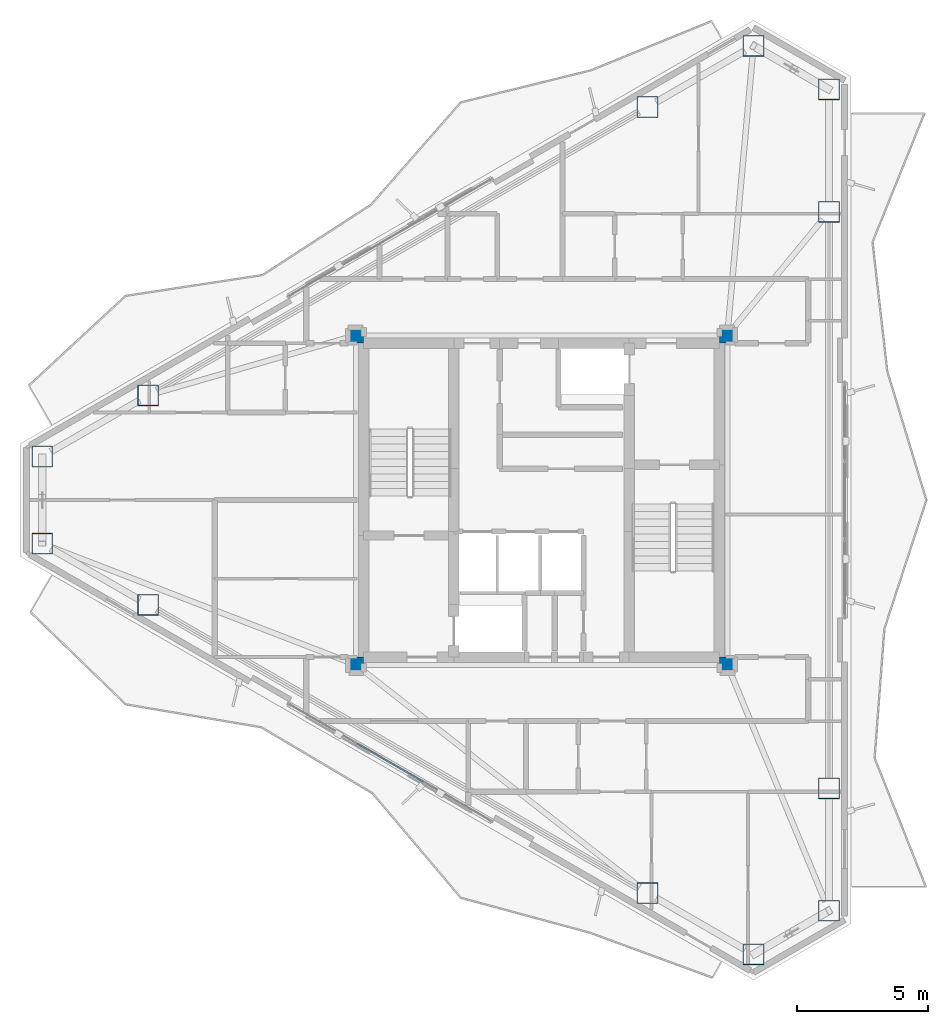
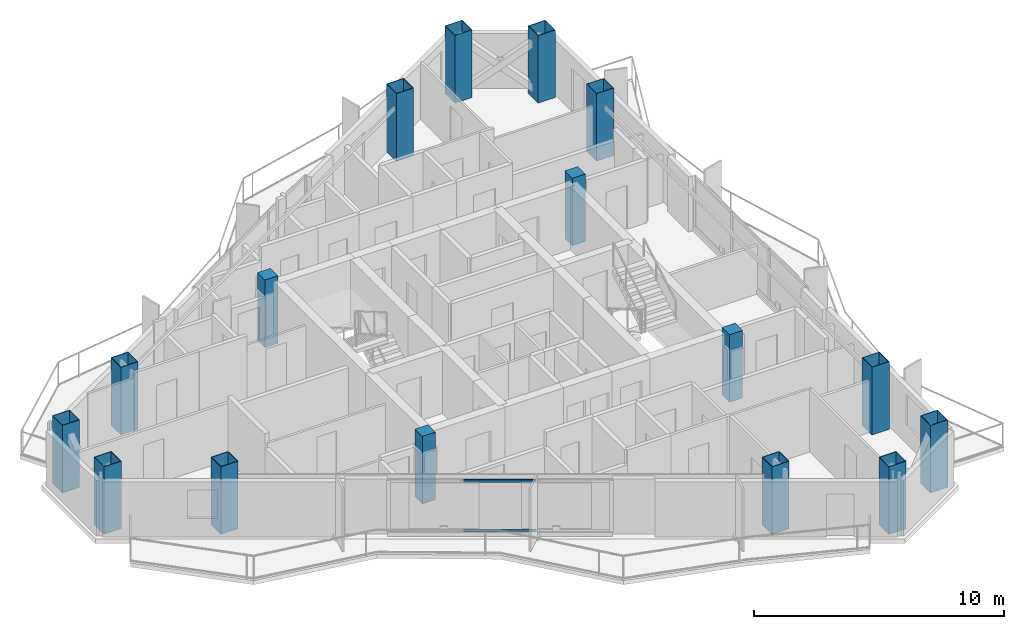
# One storey, part 1 of 22: 16 columns, 2 members, 1 element without a shape of its own.
"""IFC4 building model written with IfcOpenShell, lengths in metres."""

from ifc_helpers import new_model, si_unit, direction, frame, origin, origin_2d, place, context, subcontext, project, spatial, rectangle, hollow_rectangle, extrude, material, layer, layer_set, material_profile, profile_set, type_object, element, aggregate, save


model = new_model("IFC4")

# Units and contexts
model_context = context("Model", 3, precision=1e-05, world=origin(), true_north=direction((0.0, 1.0)))
body_context = subcontext(model_context, "Body", "Model", "MODEL_VIEW")
ifc_project = project(units=[si_unit("LENGTHUNIT", "METRE"), si_unit("AREAUNIT", "SQUARE_METRE"), si_unit("VOLUMEUNIT", "CUBIC_METRE"), si_unit("PLANEANGLEUNIT", "RADIAN"), si_unit("MASSUNIT", "GRAM", prefix="KILO")], contexts=[model_context])

# Site, building, storey
site_placement = place(None, origin())
site = spatial("IfcSite", under=ifc_project, at=site_placement, CompositionType="ELEMENT")
building_placement = place(site_placement, origin())
building = spatial("IfcBuilding", under=site, at=building_placement, Name="Mersakhor Tower and Convention Hall", CompositionType="ELEMENT")
storey_placement = place(building_placement, frame((0.0, 0.0, 201.89990234375)))
storey = spatial("IfcBuildingStorey", under=building, at=storey_placement, Name="L56", CompositionType="ELEMENT", Elevation=201.89990234375)

# Columns
ifc_material_1 = material(Name="Concrete C50/60 in S460M steel box", Category="concrete")
ifc_material_profile_1 = material_profile(ifc_material_1, hollow_rectangle(XDim=0.800048828125, YDim=0.800048828125, WallThickness=0.02490234375, at=origin_2d()), Name="SHS 800x800x25")
ifc_profile_set_1 = profile_set([ifc_material_profile_1], Name="Concrete C50/60 in S460M steel box")
column_type_1 = type_object("IfcColumnType", Name="COL-CFT-800", PredefinedType="COLUMN", material=ifc_profile_set_1)
for number, where, z_axis, x_axis, name in (
    (1, (9.907470703125, 28.415283203125, 0.0), (0.0, 0.0, 1.0), (1.0, 0.0, 0.0), "L56 Perimeter Mega-Column MC-01"),
    (2, (13.959716796875, 30.7548828125, 0.0), (0.0, 0.0, 1.0), (1.0, 0.0, 0.0), "L56 Perimeter Mega-Column MC-02"),
    (3, (33.0517578125, 41.777587890625, 0.0), (0.0, 0.0, 1.0), (1.0, 0.0, 0.0), "L56 Perimeter Mega-Column MC-03"),
    (4, (37.10400390625, 44.1171875, 0.0), (0.0, 0.0, 1.0), (1.0, 0.0, 0.0), "L56 Perimeter Mega-Column MC-04"),
    (5, (39.98828125, 42.451904296875, 0.0), (0.0, 0.0, 1.0), (1.0, 0.0, 0.0), "L56 Perimeter Mega-Column MC-05"),
    (6, (39.98828125, 37.772705078125, 0.0), (0.0, 0.0, 1.0), (1.0, 0.0, 0.0), "L56 Perimeter Mega-Column MC-06"),
    (7, (39.98828125, 15.727294921875, 0.0), (0.0, 0.0, 1.0), (1.0, 0.0, 0.0), "L56 Perimeter Mega-Column MC-07"),
    (8, (39.98828125, 11.048095703125, 0.0), (0.0, 0.0, 1.0), (1.0, 0.0, 0.0), "L56 Perimeter Mega-Column MC-08"),
    (9, (37.10400390625, 9.3828125, 0.0), (0.0, 0.0, 1.0), (1.0, 0.0, 0.0), "L56 Perimeter Mega-Column MC-09"),
    (10, (33.0517578125, 11.722412109375, 0.0), (0.0, 0.0, 1.0), (1.0, 0.0, 0.0), "L56 Perimeter Mega-Column MC-10"),
    (11, (13.959716796875, 22.7451171875, 0.0), (0.0, 0.0, 1.0), (1.0, 0.0, 0.0), "L56 Perimeter Mega-Column MC-11"),
    (12, (9.907470703125, 25.084716796875, 0.0), (0.0, 0.0, 1.0), (1.0, 0.0, 0.0), "L56 Perimeter Mega-Column MC-12"),
):
    element("IfcColumn", number, at=place(storey_placement, frame(where, z_axis=z_axis, x_axis=x_axis)), inside=storey, type_object=column_type_1, Name=name, PredefinedType="COLUMN", context=body_context, shape_type="SweptSolid", body=[
        extrude(hollow_rectangle(XDim=0.800048828125, YDim=0.800048828125, WallThickness=0.02490234375, at=origin_2d()), origin(), (0.0, 0.0, 1.0), 3.300048828125),
    ])
ifc_material_2 = material(Name="Concrete C50/60", Category="concrete")
ifc_material_profile_2 = material_profile(ifc_material_2, rectangle(XDim=0.60009765625, YDim=0.60009765625, at=origin_2d()), Name="RC 600x600")
ifc_profile_set_2 = profile_set([ifc_material_profile_2], Name="Concrete C50/60")
column_type_2 = type_object("IfcColumnType", Name="COL-RC-600", PredefinedType="COLUMN", material=ifc_profile_set_2)
for number, where, z_axis, x_axis, name in (
    (13, (21.89990234375, 20.449951171875, 0.0), (0.0, 0.0, 1.0), (1.0, 0.0, 0.0), "L56 Core Corner Column CC-1"),
    (14, (21.89990234375, 33.050048828125, 0.0), (0.0, 0.0, 1.0), (1.0, 0.0, 0.0), "L56 Core Corner Column CC-2"),
    (15, (36.10009765625, 33.050048828125, 0.0), (0.0, 0.0, 1.0), (1.0, 0.0, 0.0), "L56 Core Corner Column CC-3"),
    (16, (36.10009765625, 20.449951171875, 0.0), (0.0, 0.0, 1.0), (1.0, 0.0, 0.0), "L56 Core Corner Column CC-4"),
):
    element("IfcColumn", number, at=place(storey_placement, frame(where, z_axis=z_axis, x_axis=x_axis)), inside=storey, type_object=column_type_2, Name=name, PredefinedType="COLUMN", context=body_context, shape_type="SweptSolid", body=[
        extrude(rectangle(XDim=0.60009765625, YDim=0.60009765625, at=origin_2d()), origin(), (0.0, 0.0, 1.0), 3.300048828125),
    ])

# Curtain wall, members
ifc_material_3 = material(Name="Dark solar low-E aluminium curtain wall", Category="aluminium")
ifc_layer = layer(ifc_material_3, 0.169921875)
ifc_layer_set = layer_set([ifc_layer], Name="Dark solar low-E aluminium curtain wall")
curtain_wall_type = type_object("IfcCurtainWallType", Name="CW-SYS-02", PredefinedType="USERDEFINED", material=ifc_layer_set)
curtain_wall_placement = place(storey_placement, origin())
curtain_wall = element("IfcCurtainWall", 17, at=curtain_wall_placement, inside=storey, type_object=curtain_wall_type, Name="L56 Dark-Glass Curtain Wall F3-B2", ObjectType="CURTAIN WALL", PredefinedType="USERDEFINED")
ifc_material_4 = material(Name="Anodised aluminium EN AW-6063 T6", Category="aluminium")
ifc_material_profile_3 = material_profile(ifc_material_4, hollow_rectangle(XDim=0.06005859375, YDim=0.1201171875, WallThickness=0.0048828125, at=origin_2d()), Name="RHS 120x60x5")
ifc_profile_set_3 = profile_set([ifc_material_profile_3], Name="Anodised aluminium EN AW-6063 T6")
member_type = type_object("IfcMemberType", Name="CWT-120x60", PredefinedType="USERDEFINED", material=ifc_profile_set_3)
member_1_placement = place(storey_placement, frame((24.47216796875, 15.98291015625, 0.22998046875), z_axis=(-0.866004860328, 0.500035580622, 0.0), x_axis=(-0.500035580622, -0.866004860328, 0.0)))
member_1 = element("IfcMember", 18, at=member_1_placement, type_object=member_type, Name="CW-02 transom 2.1", ObjectType="TRANSOM", PredefinedType="USERDEFINED", context=body_context, shape_type="SweptSolid", body=[
    extrude(hollow_rectangle(XDim=0.06005859375, YDim=0.1201171875, WallThickness=0.0048828125, at=origin_2d()), origin(), (0.0, 0.0, 1.0), 2.924560546875),
])
member_2_placement = place(storey_placement, frame((24.47216796875, 15.98291015625, 2.66015625), z_axis=(-0.866004860328, 0.500035580622, 0.0), x_axis=(-0.500035580622, -0.866004860328, 0.0)))
member_2 = element("IfcMember", 19, at=member_2_placement, type_object=member_type, Name="CW-02 transom 2.2", ObjectType="TRANSOM", PredefinedType="USERDEFINED", context=body_context, shape_type="SweptSolid", body=[
    extrude(hollow_rectangle(XDim=0.06005859375, YDim=0.1201171875, WallThickness=0.0048828125, at=origin_2d()), origin(), (0.0, 0.0, 1.0), 2.924560546875),
])
aggregate(curtain_wall, [member_1, member_2])

save(model, "model.ifc")
